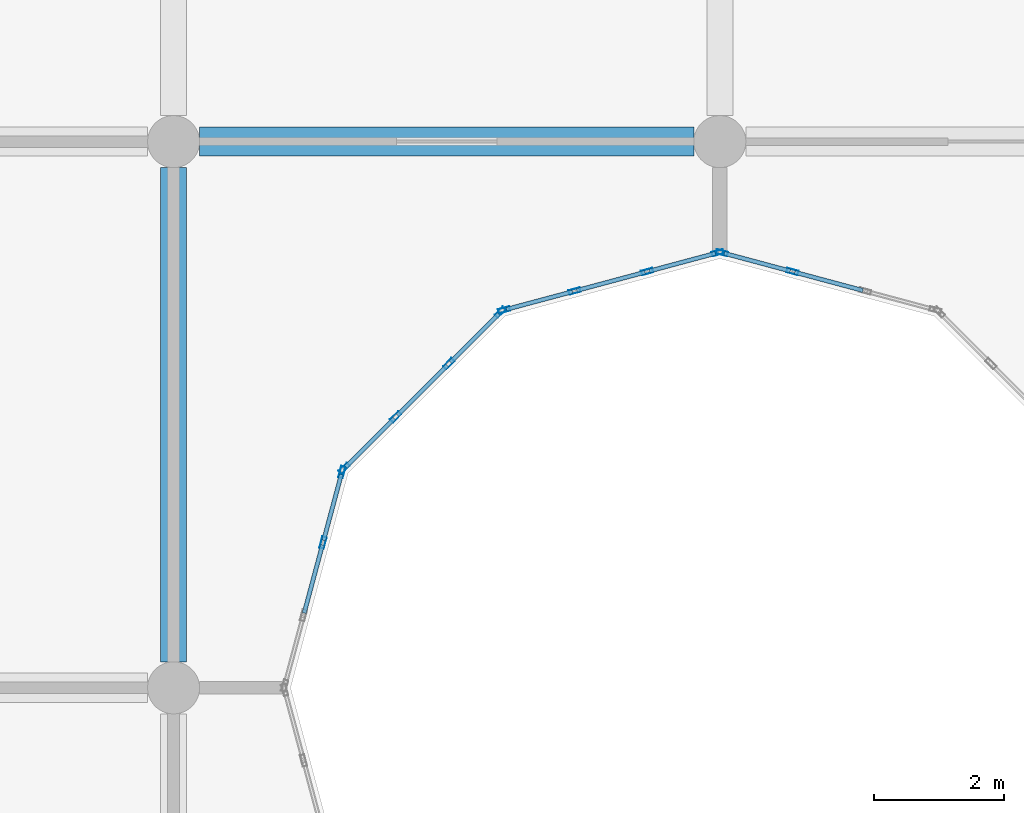
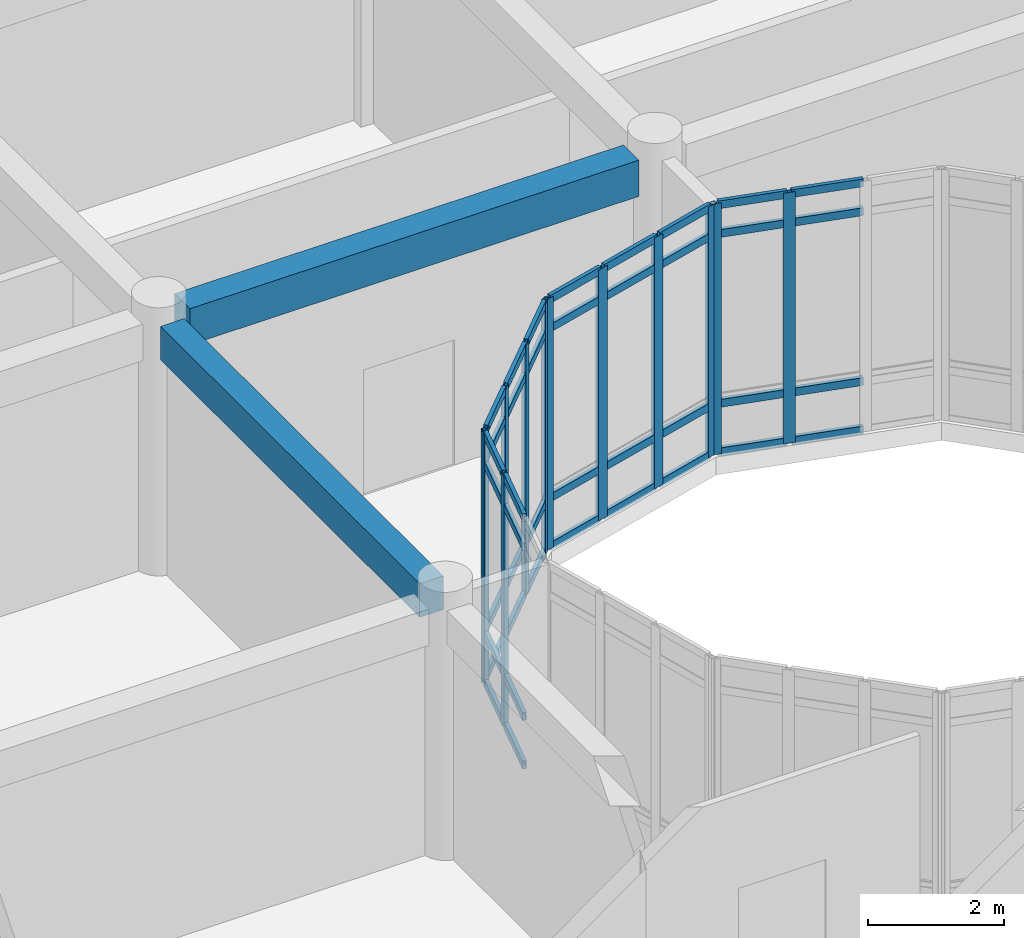
# One storey, part 24 of 138: 52 members, 2 beams, 4 elements without a shape of their own.
"""IFC4 building model written with IfcOpenShell, lengths in metres."""

from ifc_helpers import new_model, si_unit, direction, frame, origin, origin_2d, place, context, subcontext, project, spatial, rectangle, hollow_rectangle, extrude, material, layer, layer_set, material_profile, profile_set, type_object, element, aggregate, save


model = new_model("IFC4")

# Units and contexts
model_context = context("Model", 3, precision=1e-05, world=origin(), true_north=direction((0.0, 1.0)))
body_context = subcontext(model_context, "Body", "Model", "MODEL_VIEW")
ifc_project = project(units=[si_unit("LENGTHUNIT", "METRE"), si_unit("AREAUNIT", "SQUARE_METRE"), si_unit("VOLUMEUNIT", "CUBIC_METRE"), si_unit("PLANEANGLEUNIT", "RADIAN"), si_unit("MASSUNIT", "GRAM", prefix="KILO")], contexts=[model_context])

# Site, building, storey
site_placement = place(None, origin())
site = spatial("IfcSite", under=ifc_project, at=site_placement, CompositionType="ELEMENT")
building_placement = place(site_placement, origin())
building = spatial("IfcBuilding", under=site, at=building_placement, Name="Bramfleet General Hospital", CompositionType="ELEMENT")
storey_placement = place(building_placement, origin())
storey = spatial("IfcBuildingStorey", under=building, at=storey_placement, Name="L00", CompositionType="ELEMENT", Elevation=0.0)

# Beams
ifc_material_1 = material(Name="Concrete C35/45", Category="concrete")
ifc_material_profile_1 = material_profile(ifc_material_1, rectangle(XDim=0.39990234375, YDim=0.60009765625, at=origin_2d()), Name="RC BM 600x400")
ifc_profile_set_1 = profile_set([ifc_material_profile_1], Name="Concrete C35/45")
beam_type_1 = type_object("IfcBeamType", Name="BM-RC600", PredefinedType="BEAM", material=ifc_profile_set_1)
beam_1_placement = place(storey_placement, frame((16.800048828125, 84.39990234375, 4.199951171875), z_axis=(0.0, 1.0, 0.0), x_axis=(-1.0, 0.0, 0.0)))
element("IfcBeam", 1, at=beam_1_placement, inside=storey, type_object=beam_type_1, Name="L00 Grid Beam Y 02-10", PredefinedType="BEAM", context=body_context, shape_type="SweptSolid", body=[
    extrude(rectangle(XDim=0.39990234375, YDim=0.60009765625, at=origin_2d()), origin(), (0.0, 0.0, 1.0), 7.60009765625),
])
ifc_material_profile_2 = material_profile(ifc_material_1, rectangle(XDim=0.449951171875, YDim=0.64990234375, at=origin_2d()), Name="RC BM 650x450")
ifc_profile_set_2 = profile_set([ifc_material_profile_2], Name="Concrete C35/45")
beam_type_2 = type_object("IfcBeamType", Name="BM-RC650", PredefinedType="BEAM", material=ifc_profile_set_2)
beam_2_placement = place(storey_placement, frame((17.199951171875, 92.39990234375, 4.175048828125), z_axis=(1.0, 0.0, 0.0), x_axis=(0.0, 1.0, 0.0)))
element("IfcBeam", 2, at=beam_2_placement, inside=storey, type_object=beam_type_2, Name="L00 Grid Beam X 02-11", PredefinedType="BEAM", context=body_context, shape_type="SweptSolid", body=[
    extrude(rectangle(XDim=0.449951171875, YDim=0.64990234375, at=origin_2d()), origin(), (0.0, 0.0, 1.0), 7.60009765625),
])

# Curtain wall, members
ifc_material_2 = material(Name="Anodised aluminium and low-E triple glazing", Category="aluminium")
ifc_layer_1 = layer(ifc_material_2, 0.179931640625, Name="CWT-CW-13")
ifc_layer_set_1 = layer_set([ifc_layer_1], Name="Anodised aluminium and low-E triple glazing")
curtain_wall_type_1 = type_object("IfcCurtainWallType", Name="CWT-CW-13", PredefinedType="USERDEFINED", material=ifc_layer_set_1)
curtain_wall_1_placement = place(storey_placement, origin())
curtain_wall_1 = element("IfcCurtainWall", 3, at=curtain_wall_1_placement, inside=storey, type_object=curtain_wall_type_1, Name="L00 West Clinical Light Court Curtain Wall 9.1", ObjectType="Stick curtain wall", PredefinedType="USERDEFINED")
ifc_material_3 = material(Name="Anodised aluminium EN AW-6060", Category="aluminium")
ifc_material_profile_3 = material_profile(ifc_material_3, hollow_rectangle(XDim=0.070068359375, YDim=0.179931640625, WallThickness=0.00390625, at=origin_2d()), Name="ALU 180x70x4.0")
ifc_profile_set_3 = profile_set([ifc_material_profile_3], Name="Anodised aluminium EN AW-6060")
member_type_1 = type_object("IfcMemberType", Name="CWM-ALU180", PredefinedType="MULLION", material=ifc_profile_set_3)
member_1_placement = place(storey_placement, frame((26.316650390625, 90.400634765625, 0.0), z_axis=(0.0, 0.0, 1.0), x_axis=(-0.25891863407, -0.965899136003, 0.0)))
member_1 = element("IfcMember", 4, at=member_1_placement, type_object=member_type_1, Name="CW-13 mullion 3", PredefinedType="MULLION", context=body_context, shape_type="SweptSolid", body=[
    extrude(hollow_rectangle(XDim=0.070068359375, YDim=0.179931640625, WallThickness=0.00390625, at=origin_2d()), origin(), (0.0, 0.0, 1.0), 4.489990234375),
])
member_2_placement = place(storey_placement, frame((25.23388671875, 90.69091796875, 0.0), z_axis=(0.0, 0.0, 1.0), x_axis=(-0.25891863407, -0.965899136003, 0.0)))
member_2 = element("IfcMember", 5, at=member_2_placement, type_object=member_type_1, Name="CW-13 mullion 4", PredefinedType="MULLION", context=body_context, shape_type="SweptSolid", body=[
    extrude(hollow_rectangle(XDim=0.070068359375, YDim=0.179931640625, WallThickness=0.00390625, at=origin_2d()), origin(), (0.0, 0.0, 1.0), 4.489990234375),
])

ifc_layer_2 = layer(ifc_material_2, 0.179931640625, Name="CWT-CW-14")
ifc_layer_set_2 = layer_set([ifc_layer_2], Name="Anodised aluminium and low-E triple glazing")
curtain_wall_type_2 = type_object("IfcCurtainWallType", Name="CWT-CW-14", PredefinedType="USERDEFINED", material=ifc_layer_set_2)
curtain_wall_2_placement = place(storey_placement, origin())
curtain_wall_2 = element("IfcCurtainWall", 6, at=curtain_wall_2_placement, inside=storey, type_object=curtain_wall_type_2, Name="L00 West Clinical Light Court Curtain Wall 10.1", ObjectType="Stick curtain wall", PredefinedType="USERDEFINED")
member_3_placement = place(storey_placement, frame((25.166259765625, 90.69091796875, 0.0), z_axis=(0.0, 0.0, 1.0), x_axis=(0.25891863407, -0.965899136003, 0.0)))
member_3 = element("IfcMember", 7, at=member_3_placement, type_object=member_type_1, Name="CW-14 mullion 1", PredefinedType="MULLION", context=body_context, shape_type="SweptSolid", body=[
    extrude(hollow_rectangle(XDim=0.070068359375, YDim=0.179931640625, WallThickness=0.00390625, at=origin_2d()), origin(), (0.0, 0.0, 1.0), 4.489990234375),
])
member_4_placement = place(storey_placement, frame((24.083251953125, 90.400634765625, 0.0), z_axis=(0.0, 0.0, 1.0), x_axis=(0.25891863407, -0.965899136003, 0.0)))
member_4 = element("IfcMember", 8, at=member_4_placement, type_object=member_type_1, Name="CW-14 mullion 2", PredefinedType="MULLION", context=body_context, shape_type="SweptSolid", body=[
    extrude(hollow_rectangle(XDim=0.070068359375, YDim=0.179931640625, WallThickness=0.00390625, at=origin_2d()), origin(), (0.0, 0.0, 1.0), 4.489990234375),
])
member_5_placement = place(storey_placement, frame((22.966552734375, 90.101318359375, 0.0), z_axis=(0.0, 0.0, 1.0), x_axis=(0.25891863407, -0.965899136003, 0.0)))
member_5 = element("IfcMember", 9, at=member_5_placement, type_object=member_type_1, Name="CW-14 mullion 3", PredefinedType="MULLION", context=body_context, shape_type="SweptSolid", body=[
    extrude(hollow_rectangle(XDim=0.070068359375, YDim=0.179931640625, WallThickness=0.00390625, at=origin_2d()), origin(), (0.0, 0.0, 1.0), 4.489990234375),
])
member_6_placement = place(storey_placement, frame((21.8837890625, 89.81103515625, 0.0), z_axis=(0.0, 0.0, 1.0), x_axis=(0.25891863407, -0.965899136003, 0.0)))
member_6 = element("IfcMember", 10, at=member_6_placement, type_object=member_type_1, Name="CW-14 mullion 4", PredefinedType="MULLION", context=body_context, shape_type="SweptSolid", body=[
    extrude(hollow_rectangle(XDim=0.070068359375, YDim=0.179931640625, WallThickness=0.00390625, at=origin_2d()), origin(), (0.0, 0.0, 1.0), 4.489990234375),
])

ifc_layer_3 = layer(ifc_material_2, 0.179931640625, Name="CWT-CW-15")
ifc_layer_set_3 = layer_set([ifc_layer_3], Name="Anodised aluminium and low-E triple glazing")
curtain_wall_type_3 = type_object("IfcCurtainWallType", Name="CWT-CW-15", PredefinedType="USERDEFINED", material=ifc_layer_set_3)
curtain_wall_3_placement = place(storey_placement, origin())
curtain_wall_3 = element("IfcCurtainWall", 11, at=curtain_wall_3_placement, inside=storey, type_object=curtain_wall_type_3, Name="L00 West Clinical Light Court Curtain Wall 11.1", ObjectType="Stick curtain wall", PredefinedType="USERDEFINED")
member_7_placement = place(storey_placement, frame((21.8251953125, 89.77734375, 0.0), z_axis=(0.0, 0.0, 1.0), x_axis=(0.707106781187, -0.707106781187, 0.0)))
member_7 = element("IfcMember", 12, at=member_7_placement, type_object=member_type_1, Name="CW-15 mullion 1", PredefinedType="MULLION", context=body_context, shape_type="SweptSolid", body=[
    extrude(hollow_rectangle(XDim=0.070068359375, YDim=0.179931640625, WallThickness=0.00390625, at=origin_2d()), origin(), (0.0, 0.0, 1.0), 4.489990234375),
])
member_8_placement = place(storey_placement, frame((21.03271484375, 88.984619140625, 0.0), z_axis=(0.0, 0.0, 1.0), x_axis=(0.707106781187, -0.707106781187, 0.0)))
member_8 = element("IfcMember", 13, at=member_8_placement, type_object=member_type_1, Name="CW-15 mullion 2", PredefinedType="MULLION", context=body_context, shape_type="SweptSolid", body=[
    extrude(hollow_rectangle(XDim=0.070068359375, YDim=0.179931640625, WallThickness=0.00390625, at=origin_2d()), origin(), (0.0, 0.0, 1.0), 4.489990234375),
])
member_9_placement = place(storey_placement, frame((20.21533203125, 88.167236328125, 0.0), z_axis=(0.0, 0.0, 1.0), x_axis=(0.707106781187, -0.707106781187, 0.0)))
member_9 = element("IfcMember", 14, at=member_9_placement, type_object=member_type_1, Name="CW-15 mullion 3", PredefinedType="MULLION", context=body_context, shape_type="SweptSolid", body=[
    extrude(hollow_rectangle(XDim=0.070068359375, YDim=0.179931640625, WallThickness=0.00390625, at=origin_2d()), origin(), (0.0, 0.0, 1.0), 4.489990234375),
])
member_10_placement = place(storey_placement, frame((19.4228515625, 87.374755859375, 0.0), z_axis=(0.0, 0.0, 1.0), x_axis=(0.707106781187, -0.707106781187, 0.0)))
member_10 = element("IfcMember", 15, at=member_10_placement, type_object=member_type_1, Name="CW-15 mullion 4", PredefinedType="MULLION", context=body_context, shape_type="SweptSolid", body=[
    extrude(hollow_rectangle(XDim=0.070068359375, YDim=0.179931640625, WallThickness=0.00390625, at=origin_2d()), origin(), (0.0, 0.0, 1.0), 4.489990234375),
])

ifc_layer_4 = layer(ifc_material_2, 0.179931640625, Name="CWT-CW-16")
ifc_layer_set_4 = layer_set([ifc_layer_4], Name="Anodised aluminium and low-E triple glazing")
curtain_wall_type_4 = type_object("IfcCurtainWallType", Name="CWT-CW-16", PredefinedType="USERDEFINED", material=ifc_layer_set_4)
curtain_wall_4_placement = place(storey_placement, origin())
curtain_wall_4 = element("IfcCurtainWall", 16, at=curtain_wall_4_placement, inside=storey, type_object=curtain_wall_type_4, Name="L00 West Clinical Light Court Curtain Wall 12.1", ObjectType="Stick curtain wall", PredefinedType="USERDEFINED")
member_11_placement = place(storey_placement, frame((19.388916015625, 87.316162109375, 0.0), z_axis=(0.0, 0.0, 1.0), x_axis=(0.965899136003, -0.25891863407, 0.0)))
member_11 = element("IfcMember", 17, at=member_11_placement, type_object=member_type_1, Name="CW-16 mullion 1", PredefinedType="MULLION", context=body_context, shape_type="SweptSolid", body=[
    extrude(hollow_rectangle(XDim=0.070068359375, YDim=0.179931640625, WallThickness=0.00390625, at=origin_2d()), origin(), (0.0, 0.0, 1.0), 4.489990234375),
])
member_12_placement = place(storey_placement, frame((19.0986328125, 86.2333984375, 0.0), z_axis=(0.0, 0.0, 1.0), x_axis=(0.965899136003, -0.25891863407, 0.0)))
member_12 = element("IfcMember", 18, at=member_12_placement, type_object=member_type_1, Name="CW-16 mullion 2", PredefinedType="MULLION", context=body_context, shape_type="SweptSolid", body=[
    extrude(hollow_rectangle(XDim=0.070068359375, YDim=0.179931640625, WallThickness=0.00390625, at=origin_2d()), origin(), (0.0, 0.0, 1.0), 4.489990234375),
])

# Member
ifc_material_profile_4 = material_profile(ifc_material_3, hollow_rectangle(XDim=0.06494140625, YDim=0.139892578125, WallThickness=0.00390625, at=origin_2d()), Name="ALU 140x65x4.0")
ifc_profile_set_4 = profile_set([ifc_material_profile_4], Name="Anodised aluminium EN AW-6060")
member_type_2 = type_object("IfcMemberType", Name="CWT-ALU140", PredefinedType="USERDEFINED", material=ifc_profile_set_4)
member_13_placement = place(storey_placement, frame((27.3994140625, 90.1103515625, 0.032470703125), z_axis=(-0.965875768108, 0.259005792565, 0.0), x_axis=(-0.259005792565, -0.965875768108, 0.0)))
member_13 = element("IfcMember", 19, at=member_13_placement, type_object=member_type_2, Name="CW-13 transom 2.1", ObjectType="TRANSOM", PredefinedType="USERDEFINED", context=body_context, shape_type="SweptSolid", body=[
    extrude(hollow_rectangle(XDim=0.06494140625, YDim=0.139892578125, WallThickness=0.00390625, at=origin_2d()), origin(), (0.0, 0.0, 1.0), 1.0859375),
])

member_14_placement = place(storey_placement, frame((27.3994140625, 90.1103515625, 0.89990234375), z_axis=(-0.965875768108, 0.259005792565, 0.0), x_axis=(-0.259005792565, -0.965875768108, 0.0)))
member_14 = element("IfcMember", 20, at=member_14_placement, type_object=member_type_2, Name="CW-13 transom 2.2", ObjectType="TRANSOM", PredefinedType="USERDEFINED", context=body_context, shape_type="SweptSolid", body=[
    extrude(hollow_rectangle(XDim=0.06494140625, YDim=0.139892578125, WallThickness=0.00390625, at=origin_2d()), origin(), (0.0, 0.0, 1.0), 1.0859375),
])

member_15_placement = place(storey_placement, frame((27.3994140625, 90.1103515625, 3.93994140625), z_axis=(-0.965875768108, 0.259005792565, 0.0), x_axis=(-0.259005792565, -0.965875768108, 0.0)))
member_15 = element("IfcMember", 21, at=member_15_placement, type_object=member_type_2, Name="CW-13 transom 2.3", ObjectType="TRANSOM", PredefinedType="USERDEFINED", context=body_context, shape_type="SweptSolid", body=[
    extrude(hollow_rectangle(XDim=0.06494140625, YDim=0.139892578125, WallThickness=0.00390625, at=origin_2d()), origin(), (0.0, 0.0, 1.0), 1.0859375),
])

member_16_placement = place(storey_placement, frame((27.3994140625, 90.1103515625, 4.45751953125), z_axis=(-0.965875768108, 0.259005792565, 0.0), x_axis=(-0.259005792565, -0.965875768108, 0.0)))
member_16 = element("IfcMember", 22, at=member_16_placement, type_object=member_type_2, Name="CW-13 transom 2.4", ObjectType="TRANSOM", PredefinedType="USERDEFINED", context=body_context, shape_type="SweptSolid", body=[
    extrude(hollow_rectangle(XDim=0.06494140625, YDim=0.139892578125, WallThickness=0.00390625, at=origin_2d()), origin(), (0.0, 0.0, 1.0), 1.0859375),
])

member_17_placement = place(storey_placement, frame((26.282958984375, 90.40966796875, 0.032470703125), z_axis=(-0.965891021523, 0.258948903342, 0.0), x_axis=(-0.258948903342, -0.965891021523, 0.0)))
member_17 = element("IfcMember", 23, at=member_17_placement, type_object=member_type_2, Name="CW-13 transom 3.1", ObjectType="TRANSOM", PredefinedType="USERDEFINED", context=body_context, shape_type="SweptSolid", body=[
    extrude(hollow_rectangle(XDim=0.06494140625, YDim=0.139892578125, WallThickness=0.00390625, at=origin_2d()), origin(), (0.0, 0.0, 1.0), 1.05126953125),
])

member_18_placement = place(storey_placement, frame((26.282958984375, 90.40966796875, 0.89990234375), z_axis=(-0.965891021523, 0.258948903342, 0.0), x_axis=(-0.258948903342, -0.965891021523, 0.0)))
member_18 = element("IfcMember", 24, at=member_18_placement, type_object=member_type_2, Name="CW-13 transom 3.2", ObjectType="TRANSOM", PredefinedType="USERDEFINED", context=body_context, shape_type="SweptSolid", body=[
    extrude(hollow_rectangle(XDim=0.06494140625, YDim=0.139892578125, WallThickness=0.00390625, at=origin_2d()), origin(), (0.0, 0.0, 1.0), 1.05126953125),
])

member_19_placement = place(storey_placement, frame((26.282958984375, 90.40966796875, 3.93994140625), z_axis=(-0.965891021523, 0.258948903342, 0.0), x_axis=(-0.258948903342, -0.965891021523, 0.0)))
member_19 = element("IfcMember", 25, at=member_19_placement, type_object=member_type_2, Name="CW-13 transom 3.3", ObjectType="TRANSOM", PredefinedType="USERDEFINED", context=body_context, shape_type="SweptSolid", body=[
    extrude(hollow_rectangle(XDim=0.06494140625, YDim=0.139892578125, WallThickness=0.00390625, at=origin_2d()), origin(), (0.0, 0.0, 1.0), 1.05126953125),
])

member_20_placement = place(storey_placement, frame((26.282958984375, 90.40966796875, 4.45751953125), z_axis=(-0.965891021523, 0.258948903342, 0.0), x_axis=(-0.258948903342, -0.965891021523, 0.0)))
member_20 = element("IfcMember", 26, at=member_20_placement, type_object=member_type_2, Name="CW-13 transom 3.4", ObjectType="TRANSOM", PredefinedType="USERDEFINED", context=body_context, shape_type="SweptSolid", body=[
    extrude(hollow_rectangle(XDim=0.06494140625, YDim=0.139892578125, WallThickness=0.00390625, at=origin_2d()), origin(), (0.0, 0.0, 1.0), 1.05126953125),
])

aggregate(curtain_wall_1, [member_1, member_2, member_13, member_14, member_15, member_16, member_17, member_18, member_19, member_20])

member_21_placement = place(storey_placement, frame((25.13232421875, 90.681884765625, 0.032470703125), z_axis=(-0.965875443458, -0.259007003236, 0.0), x_axis=(0.259007003236, -0.965875443458, 0.0)))
member_21 = element("IfcMember", 27, at=member_21_placement, type_object=member_type_2, Name="CW-14 transom 1.1", ObjectType="TRANSOM", PredefinedType="USERDEFINED", context=body_context, shape_type="SweptSolid", body=[
    extrude(hollow_rectangle(XDim=0.06494140625, YDim=0.139892578125, WallThickness=0.00390625, at=origin_2d()), origin(), (0.0, 0.0, 1.0), 1.051025390625),
])

member_22_placement = place(storey_placement, frame((25.13232421875, 90.681884765625, 0.89990234375), z_axis=(-0.965875443458, -0.259007003236, 0.0), x_axis=(0.259007003236, -0.965875443458, 0.0)))
member_22 = element("IfcMember", 28, at=member_22_placement, type_object=member_type_2, Name="CW-14 transom 1.2", ObjectType="TRANSOM", PredefinedType="USERDEFINED", context=body_context, shape_type="SweptSolid", body=[
    extrude(hollow_rectangle(XDim=0.06494140625, YDim=0.139892578125, WallThickness=0.00390625, at=origin_2d()), origin(), (0.0, 0.0, 1.0), 1.051025390625),
])

member_23_placement = place(storey_placement, frame((25.13232421875, 90.681884765625, 3.93994140625), z_axis=(-0.965875443458, -0.259007003236, 0.0), x_axis=(0.259007003236, -0.965875443458, 0.0)))
member_23 = element("IfcMember", 29, at=member_23_placement, type_object=member_type_2, Name="CW-14 transom 1.3", ObjectType="TRANSOM", PredefinedType="USERDEFINED", context=body_context, shape_type="SweptSolid", body=[
    extrude(hollow_rectangle(XDim=0.06494140625, YDim=0.139892578125, WallThickness=0.00390625, at=origin_2d()), origin(), (0.0, 0.0, 1.0), 1.051025390625),
])

member_24_placement = place(storey_placement, frame((25.13232421875, 90.681884765625, 4.45751953125), z_axis=(-0.965875443458, -0.259007003236, 0.0), x_axis=(0.259007003236, -0.965875443458, 0.0)))
member_24 = element("IfcMember", 30, at=member_24_placement, type_object=member_type_2, Name="CW-14 transom 1.4", ObjectType="TRANSOM", PredefinedType="USERDEFINED", context=body_context, shape_type="SweptSolid", body=[
    extrude(hollow_rectangle(XDim=0.06494140625, YDim=0.139892578125, WallThickness=0.00390625, at=origin_2d()), origin(), (0.0, 0.0, 1.0), 1.051025390625),
])

member_25_placement = place(storey_placement, frame((24.049560546875, 90.3916015625, 0.032470703125), z_axis=(-0.965890845787, -0.258949558843, 0.0), x_axis=(0.258949558843, -0.965890845787, 0.0)))
member_25 = element("IfcMember", 31, at=member_25_placement, type_object=member_type_2, Name="CW-14 transom 2.1", ObjectType="TRANSOM", PredefinedType="USERDEFINED", context=body_context, shape_type="SweptSolid", body=[
    extrude(hollow_rectangle(XDim=0.06494140625, YDim=0.139892578125, WallThickness=0.00390625, at=origin_2d()), origin(), (0.0, 0.0, 1.0), 1.086181640625),
])

member_26_placement = place(storey_placement, frame((24.049560546875, 90.3916015625, 0.89990234375), z_axis=(-0.965890845787, -0.258949558843, 0.0), x_axis=(0.258949558843, -0.965890845787, 0.0)))
member_26 = element("IfcMember", 32, at=member_26_placement, type_object=member_type_2, Name="CW-14 transom 2.2", ObjectType="TRANSOM", PredefinedType="USERDEFINED", context=body_context, shape_type="SweptSolid", body=[
    extrude(hollow_rectangle(XDim=0.06494140625, YDim=0.139892578125, WallThickness=0.00390625, at=origin_2d()), origin(), (0.0, 0.0, 1.0), 1.086181640625),
])

member_27_placement = place(storey_placement, frame((24.049560546875, 90.3916015625, 3.93994140625), z_axis=(-0.965890845787, -0.258949558843, 0.0), x_axis=(0.258949558843, -0.965890845787, 0.0)))
member_27 = element("IfcMember", 33, at=member_27_placement, type_object=member_type_2, Name="CW-14 transom 2.3", ObjectType="TRANSOM", PredefinedType="USERDEFINED", context=body_context, shape_type="SweptSolid", body=[
    extrude(hollow_rectangle(XDim=0.06494140625, YDim=0.139892578125, WallThickness=0.00390625, at=origin_2d()), origin(), (0.0, 0.0, 1.0), 1.086181640625),
])

member_28_placement = place(storey_placement, frame((24.049560546875, 90.3916015625, 4.45751953125), z_axis=(-0.965890845787, -0.258949558843, 0.0), x_axis=(0.258949558843, -0.965890845787, 0.0)))
member_28 = element("IfcMember", 34, at=member_28_placement, type_object=member_type_2, Name="CW-14 transom 2.4", ObjectType="TRANSOM", PredefinedType="USERDEFINED", context=body_context, shape_type="SweptSolid", body=[
    extrude(hollow_rectangle(XDim=0.06494140625, YDim=0.139892578125, WallThickness=0.00390625, at=origin_2d()), origin(), (0.0, 0.0, 1.0), 1.086181640625),
])

member_29_placement = place(storey_placement, frame((22.932861328125, 90.09228515625, 0.032470703125), z_axis=(-0.965875443458, -0.259007003236, 0.0), x_axis=(0.259007003236, -0.965875443458, 0.0)))
member_29 = element("IfcMember", 35, at=member_29_placement, type_object=member_type_2, Name="CW-14 transom 3.1", ObjectType="TRANSOM", PredefinedType="USERDEFINED", context=body_context, shape_type="SweptSolid", body=[
    extrude(hollow_rectangle(XDim=0.06494140625, YDim=0.139892578125, WallThickness=0.00390625, at=origin_2d()), origin(), (0.0, 0.0, 1.0), 1.051025390625),
])

member_30_placement = place(storey_placement, frame((22.932861328125, 90.09228515625, 0.89990234375), z_axis=(-0.965875443458, -0.259007003236, 0.0), x_axis=(0.259007003236, -0.965875443458, 0.0)))
member_30 = element("IfcMember", 36, at=member_30_placement, type_object=member_type_2, Name="CW-14 transom 3.2", ObjectType="TRANSOM", PredefinedType="USERDEFINED", context=body_context, shape_type="SweptSolid", body=[
    extrude(hollow_rectangle(XDim=0.06494140625, YDim=0.139892578125, WallThickness=0.00390625, at=origin_2d()), origin(), (0.0, 0.0, 1.0), 1.051025390625),
])

member_31_placement = place(storey_placement, frame((22.932861328125, 90.09228515625, 3.93994140625), z_axis=(-0.965875443458, -0.259007003236, 0.0), x_axis=(0.259007003236, -0.965875443458, 0.0)))
member_31 = element("IfcMember", 37, at=member_31_placement, type_object=member_type_2, Name="CW-14 transom 3.3", ObjectType="TRANSOM", PredefinedType="USERDEFINED", context=body_context, shape_type="SweptSolid", body=[
    extrude(hollow_rectangle(XDim=0.06494140625, YDim=0.139892578125, WallThickness=0.00390625, at=origin_2d()), origin(), (0.0, 0.0, 1.0), 1.051025390625),
])

member_32_placement = place(storey_placement, frame((22.932861328125, 90.09228515625, 4.45751953125), z_axis=(-0.965875443458, -0.259007003236, 0.0), x_axis=(0.259007003236, -0.965875443458, 0.0)))
member_32 = element("IfcMember", 38, at=member_32_placement, type_object=member_type_2, Name="CW-14 transom 3.4", ObjectType="TRANSOM", PredefinedType="USERDEFINED", context=body_context, shape_type="SweptSolid", body=[
    extrude(hollow_rectangle(XDim=0.06494140625, YDim=0.139892578125, WallThickness=0.00390625, at=origin_2d()), origin(), (0.0, 0.0, 1.0), 1.051025390625),
])

aggregate(curtain_wall_2, [member_3, member_4, member_5, member_6, member_21, member_22, member_23, member_24, member_25, member_26, member_27, member_28, member_29, member_30, member_31, member_32])

member_33_placement = place(storey_placement, frame((21.800537109375, 89.75244140625, 0.032470703125), z_axis=(-0.707222938356, -0.706990604933, 0.0), x_axis=(0.706990604933, -0.707222938356, 0.0)))
member_33 = element("IfcMember", 39, at=member_33_placement, type_object=member_type_2, Name="CW-15 transom 1.1", ObjectType="TRANSOM", PredefinedType="USERDEFINED", context=body_context, shape_type="SweptSolid", body=[
    extrude(hollow_rectangle(XDim=0.06494140625, YDim=0.139892578125, WallThickness=0.00390625, at=origin_2d()), origin(), (0.0, 0.0, 1.0), 1.05078125),
])

member_34_placement = place(storey_placement, frame((21.800537109375, 89.75244140625, 0.89990234375), z_axis=(-0.707222938356, -0.706990604933, 0.0), x_axis=(0.706990604933, -0.707222938356, 0.0)))
member_34 = element("IfcMember", 40, at=member_34_placement, type_object=member_type_2, Name="CW-15 transom 1.2", ObjectType="TRANSOM", PredefinedType="USERDEFINED", context=body_context, shape_type="SweptSolid", body=[
    extrude(hollow_rectangle(XDim=0.06494140625, YDim=0.139892578125, WallThickness=0.00390625, at=origin_2d()), origin(), (0.0, 0.0, 1.0), 1.05078125),
])

member_35_placement = place(storey_placement, frame((21.800537109375, 89.75244140625, 3.93994140625), z_axis=(-0.707222938356, -0.706990604933, 0.0), x_axis=(0.706990604933, -0.707222938356, 0.0)))
member_35 = element("IfcMember", 41, at=member_35_placement, type_object=member_type_2, Name="CW-15 transom 1.3", ObjectType="TRANSOM", PredefinedType="USERDEFINED", context=body_context, shape_type="SweptSolid", body=[
    extrude(hollow_rectangle(XDim=0.06494140625, YDim=0.139892578125, WallThickness=0.00390625, at=origin_2d()), origin(), (0.0, 0.0, 1.0), 1.05078125),
])

member_36_placement = place(storey_placement, frame((21.800537109375, 89.75244140625, 4.45751953125), z_axis=(-0.707222938356, -0.706990604933, 0.0), x_axis=(0.706990604933, -0.707222938356, 0.0)))
member_36 = element("IfcMember", 42, at=member_36_placement, type_object=member_type_2, Name="CW-15 transom 1.4", ObjectType="TRANSOM", PredefinedType="USERDEFINED", context=body_context, shape_type="SweptSolid", body=[
    extrude(hollow_rectangle(XDim=0.06494140625, YDim=0.139892578125, WallThickness=0.00390625, at=origin_2d()), origin(), (0.0, 0.0, 1.0), 1.05078125),
])

member_37_placement = place(storey_placement, frame((21.0078125, 88.9599609375, 0.032470703125), z_axis=(-0.707106781187, -0.707106781187, 0.0), x_axis=(0.707106781187, -0.707106781187, 0.0)))
member_37 = element("IfcMember", 43, at=member_37_placement, type_object=member_type_2, Name="CW-15 transom 2.1", ObjectType="TRANSOM", PredefinedType="USERDEFINED", context=body_context, shape_type="SweptSolid", body=[
    extrude(hollow_rectangle(XDim=0.06494140625, YDim=0.139892578125, WallThickness=0.00390625, at=origin_2d()), origin(), (0.0, 0.0, 1.0), 1.0859375),
])

member_38_placement = place(storey_placement, frame((21.0078125, 88.9599609375, 0.89990234375), z_axis=(-0.707106781187, -0.707106781187, 0.0), x_axis=(0.707106781187, -0.707106781187, 0.0)))
member_38 = element("IfcMember", 44, at=member_38_placement, type_object=member_type_2, Name="CW-15 transom 2.2", ObjectType="TRANSOM", PredefinedType="USERDEFINED", context=body_context, shape_type="SweptSolid", body=[
    extrude(hollow_rectangle(XDim=0.06494140625, YDim=0.139892578125, WallThickness=0.00390625, at=origin_2d()), origin(), (0.0, 0.0, 1.0), 1.0859375),
])

member_39_placement = place(storey_placement, frame((21.0078125, 88.9599609375, 3.93994140625), z_axis=(-0.707106781187, -0.707106781187, 0.0), x_axis=(0.707106781187, -0.707106781187, 0.0)))
member_39 = element("IfcMember", 45, at=member_39_placement, type_object=member_type_2, Name="CW-15 transom 2.3", ObjectType="TRANSOM", PredefinedType="USERDEFINED", context=body_context, shape_type="SweptSolid", body=[
    extrude(hollow_rectangle(XDim=0.06494140625, YDim=0.139892578125, WallThickness=0.00390625, at=origin_2d()), origin(), (0.0, 0.0, 1.0), 1.0859375),
])

member_40_placement = place(storey_placement, frame((21.0078125, 88.9599609375, 4.45751953125), z_axis=(-0.707106781187, -0.707106781187, 0.0), x_axis=(0.707106781187, -0.707106781187, 0.0)))
member_40 = element("IfcMember", 46, at=member_40_placement, type_object=member_type_2, Name="CW-15 transom 2.4", ObjectType="TRANSOM", PredefinedType="USERDEFINED", context=body_context, shape_type="SweptSolid", body=[
    extrude(hollow_rectangle(XDim=0.06494140625, YDim=0.139892578125, WallThickness=0.00390625, at=origin_2d()), origin(), (0.0, 0.0, 1.0), 1.0859375),
])

member_41_placement = place(storey_placement, frame((20.190673828125, 88.142578125, 0.032470703125), z_axis=(-0.707106781187, -0.707106781187, 0.0), x_axis=(0.707106781187, -0.707106781187, 0.0)))
member_41 = element("IfcMember", 47, at=member_41_placement, type_object=member_type_2, Name="CW-15 transom 3.1", ObjectType="TRANSOM", PredefinedType="USERDEFINED", context=body_context, shape_type="SweptSolid", body=[
    extrude(hollow_rectangle(XDim=0.06494140625, YDim=0.139892578125, WallThickness=0.00390625, at=origin_2d()), origin(), (0.0, 0.0, 1.0), 1.051025390625),
])

member_42_placement = place(storey_placement, frame((20.190673828125, 88.142578125, 0.89990234375), z_axis=(-0.707106781187, -0.707106781187, 0.0), x_axis=(0.707106781187, -0.707106781187, 0.0)))
member_42 = element("IfcMember", 48, at=member_42_placement, type_object=member_type_2, Name="CW-15 transom 3.2", ObjectType="TRANSOM", PredefinedType="USERDEFINED", context=body_context, shape_type="SweptSolid", body=[
    extrude(hollow_rectangle(XDim=0.06494140625, YDim=0.139892578125, WallThickness=0.00390625, at=origin_2d()), origin(), (0.0, 0.0, 1.0), 1.051025390625),
])

member_43_placement = place(storey_placement, frame((20.190673828125, 88.142578125, 3.93994140625), z_axis=(-0.707106781187, -0.707106781187, 0.0), x_axis=(0.707106781187, -0.707106781187, 0.0)))
member_43 = element("IfcMember", 49, at=member_43_placement, type_object=member_type_2, Name="CW-15 transom 3.3", ObjectType="TRANSOM", PredefinedType="USERDEFINED", context=body_context, shape_type="SweptSolid", body=[
    extrude(hollow_rectangle(XDim=0.06494140625, YDim=0.139892578125, WallThickness=0.00390625, at=origin_2d()), origin(), (0.0, 0.0, 1.0), 1.051025390625),
])

member_44_placement = place(storey_placement, frame((20.190673828125, 88.142578125, 4.45751953125), z_axis=(-0.707106781187, -0.707106781187, 0.0), x_axis=(0.707106781187, -0.707106781187, 0.0)))
member_44 = element("IfcMember", 50, at=member_44_placement, type_object=member_type_2, Name="CW-15 transom 3.4", ObjectType="TRANSOM", PredefinedType="USERDEFINED", context=body_context, shape_type="SweptSolid", body=[
    extrude(hollow_rectangle(XDim=0.06494140625, YDim=0.139892578125, WallThickness=0.00390625, at=origin_2d()), origin(), (0.0, 0.0, 1.0), 1.051025390625),
])

aggregate(curtain_wall_3, [member_7, member_8, member_9, member_10, member_33, member_34, member_35, member_36, member_37, member_38, member_39, member_40, member_41, member_42, member_43, member_44])

member_45_placement = place(storey_placement, frame((19.3798828125, 87.282470703125, 0.032470703125), z_axis=(-0.258948903342, -0.965891021523, 0.0), x_axis=(0.965891021523, -0.258948903342, 0.0)))
member_45 = element("IfcMember", 51, at=member_45_placement, type_object=member_type_2, Name="CW-16 transom 1.1", ObjectType="TRANSOM", PredefinedType="USERDEFINED", context=body_context, shape_type="SweptSolid", body=[
    extrude(hollow_rectangle(XDim=0.06494140625, YDim=0.139892578125, WallThickness=0.00390625, at=origin_2d()), origin(), (0.0, 0.0, 1.0), 1.05126953125),
])

member_46_placement = place(storey_placement, frame((19.3798828125, 87.282470703125, 0.89990234375), z_axis=(-0.258948903342, -0.965891021523, 0.0), x_axis=(0.965891021523, -0.258948903342, 0.0)))
member_46 = element("IfcMember", 52, at=member_46_placement, type_object=member_type_2, Name="CW-16 transom 1.2", ObjectType="TRANSOM", PredefinedType="USERDEFINED", context=body_context, shape_type="SweptSolid", body=[
    extrude(hollow_rectangle(XDim=0.06494140625, YDim=0.139892578125, WallThickness=0.00390625, at=origin_2d()), origin(), (0.0, 0.0, 1.0), 1.05126953125),
])

member_47_placement = place(storey_placement, frame((19.3798828125, 87.282470703125, 3.93994140625), z_axis=(-0.258948903342, -0.965891021523, 0.0), x_axis=(0.965891021523, -0.258948903342, 0.0)))
member_47 = element("IfcMember", 53, at=member_47_placement, type_object=member_type_2, Name="CW-16 transom 1.3", ObjectType="TRANSOM", PredefinedType="USERDEFINED", context=body_context, shape_type="SweptSolid", body=[
    extrude(hollow_rectangle(XDim=0.06494140625, YDim=0.139892578125, WallThickness=0.00390625, at=origin_2d()), origin(), (0.0, 0.0, 1.0), 1.05126953125),
])

member_48_placement = place(storey_placement, frame((19.3798828125, 87.282470703125, 4.45751953125), z_axis=(-0.258948903342, -0.965891021523, 0.0), x_axis=(0.965891021523, -0.258948903342, 0.0)))
member_48 = element("IfcMember", 54, at=member_48_placement, type_object=member_type_2, Name="CW-16 transom 1.4", ObjectType="TRANSOM", PredefinedType="USERDEFINED", context=body_context, shape_type="SweptSolid", body=[
    extrude(hollow_rectangle(XDim=0.06494140625, YDim=0.139892578125, WallThickness=0.00390625, at=origin_2d()), origin(), (0.0, 0.0, 1.0), 1.05126953125),
])

member_49_placement = place(storey_placement, frame((19.089599609375, 86.199462890625, 0.032470703125), z_axis=(-0.258949558843, -0.965890845787, 0.0), x_axis=(0.965890845787, -0.258949558843, 0.0)))
member_49 = element("IfcMember", 55, at=member_49_placement, type_object=member_type_2, Name="CW-16 transom 2.1", ObjectType="TRANSOM", PredefinedType="USERDEFINED", context=body_context, shape_type="SweptSolid", body=[
    extrude(hollow_rectangle(XDim=0.06494140625, YDim=0.139892578125, WallThickness=0.00390625, at=origin_2d()), origin(), (0.0, 0.0, 1.0), 1.086181640625),
])

member_50_placement = place(storey_placement, frame((19.089599609375, 86.199462890625, 0.89990234375), z_axis=(-0.258949558843, -0.965890845787, 0.0), x_axis=(0.965890845787, -0.258949558843, 0.0)))
member_50 = element("IfcMember", 56, at=member_50_placement, type_object=member_type_2, Name="CW-16 transom 2.2", ObjectType="TRANSOM", PredefinedType="USERDEFINED", context=body_context, shape_type="SweptSolid", body=[
    extrude(hollow_rectangle(XDim=0.06494140625, YDim=0.139892578125, WallThickness=0.00390625, at=origin_2d()), origin(), (0.0, 0.0, 1.0), 1.086181640625),
])

member_51_placement = place(storey_placement, frame((19.089599609375, 86.199462890625, 3.93994140625), z_axis=(-0.258949558843, -0.965890845787, 0.0), x_axis=(0.965890845787, -0.258949558843, 0.0)))
member_51 = element("IfcMember", 57, at=member_51_placement, type_object=member_type_2, Name="CW-16 transom 2.3", ObjectType="TRANSOM", PredefinedType="USERDEFINED", context=body_context, shape_type="SweptSolid", body=[
    extrude(hollow_rectangle(XDim=0.06494140625, YDim=0.139892578125, WallThickness=0.00390625, at=origin_2d()), origin(), (0.0, 0.0, 1.0), 1.086181640625),
])

member_52_placement = place(storey_placement, frame((19.089599609375, 86.199462890625, 4.45751953125), z_axis=(-0.258949558843, -0.965890845787, 0.0), x_axis=(0.965890845787, -0.258949558843, 0.0)))
member_52 = element("IfcMember", 58, at=member_52_placement, type_object=member_type_2, Name="CW-16 transom 2.4", ObjectType="TRANSOM", PredefinedType="USERDEFINED", context=body_context, shape_type="SweptSolid", body=[
    extrude(hollow_rectangle(XDim=0.06494140625, YDim=0.139892578125, WallThickness=0.00390625, at=origin_2d()), origin(), (0.0, 0.0, 1.0), 1.086181640625),
])

aggregate(curtain_wall_4, [member_11, member_12, member_45, member_46, member_47, member_48, member_49, member_50, member_51, member_52])

save(model, "model.ifc")
